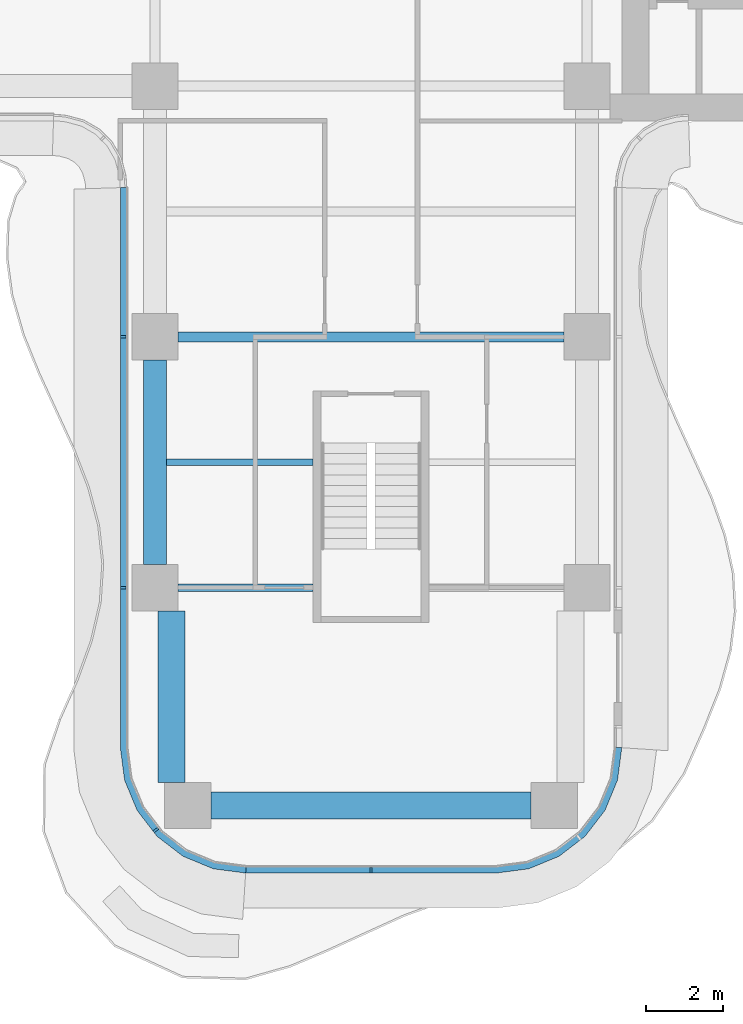
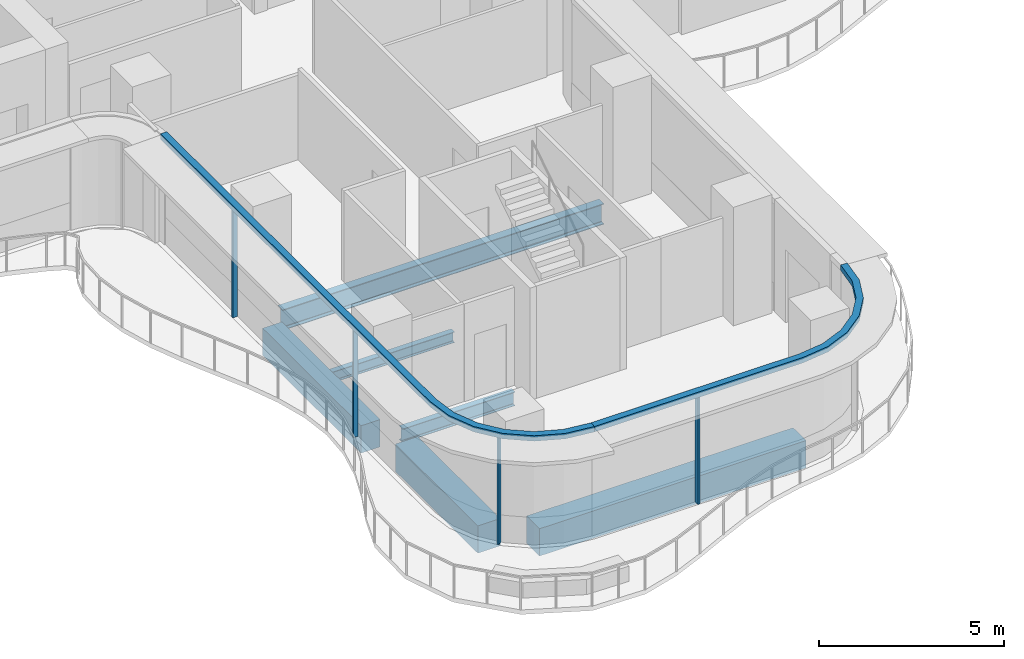
# One storey, part 2 of 19: 6 beams, 6 members, 2 elements without a shape of their own.
"""IFC4 building model written with IfcOpenShell, lengths in metres."""

from ifc_helpers import new_model, si_unit, direction, frame, origin, origin_2d, place, context, subcontext, project, spatial, polyline, rectangle, i_section, outline, extrude, source, transform, mapped, material, layer, layer_set, material_profile, profile_set, type_object, element, aggregate, save


model = new_model("IFC4")

# Units and contexts
model_context = context("Model", 3, precision=1e-05, world=origin(), true_north=direction((0.0, 1.0)))
body_context = subcontext(model_context, "Body", "Model", "MODEL_VIEW")
ifc_project = project(units=[si_unit("LENGTHUNIT", "METRE"), si_unit("AREAUNIT", "SQUARE_METRE"), si_unit("VOLUMEUNIT", "CUBIC_METRE"), si_unit("PLANEANGLEUNIT", "RADIAN"), si_unit("MASSUNIT", "GRAM", prefix="KILO")], contexts=[model_context])

# Site, building, storey
site_placement = place(None, origin())
site = spatial("IfcSite", under=ifc_project, at=site_placement, CompositionType="ELEMENT")
building_placement = place(site_placement, origin())
building = spatial("IfcBuilding", under=site, at=building_placement, Name="Trellis Farm Tower", CompositionType="ELEMENT")
storey_placement = place(building_placement, frame((0.0, 0.0, 197.10009765625)))
storey = spatial("IfcBuildingStorey", under=building, at=storey_placement, Name="L43", CompositionType="ELEMENT", Elevation=197.10009765625)

# Beams
ifc_material_1 = material(Name="Steel S355", Category="steel")
ifc_material_profile_1 = material_profile(ifc_material_1, i_section(OverallWidth=0.1904296875, OverallDepth=0.45703125, WebThickness=0.009033203125, FlangeThickness=0.014404296875, FilletRadius=0.01025390625, at=origin_2d()), Name="UB 457x191x74")
ifc_profile_set_1 = profile_set([ifc_material_profile_1], Name="Steel S355")
beam_type_1 = type_object("IfcBeamType", Name="UB 457x191x74", PredefinedType="BEAM", material=ifc_profile_set_1)
shared_shape_1 = source(origin(), body_context, "Body", "SweptSolid", [
    extrude(i_section(OverallWidth=0.1904296875, OverallDepth=0.45703125, WebThickness=0.009033203125, FlangeThickness=0.014404296875, FilletRadius=0.01025390625, at=origin_2d()), origin(), (0.0, 0.0, 1.0), 3.5),
])
beam_1_placement = place(storey_placement, frame((-5.0, -18.60009765625, -0.4287109375), z_axis=(1.0, 0.0, 0.0), x_axis=(0.0, 1.0, 0.0)))
element("IfcBeam", 1, at=beam_1_placement, inside=storey, type_object=beam_type_1, Name="Girder", PredefinedType="BEAM", context=body_context, shape_type="MappedRepresentation", body=[
    mapped(shared_shape_1, transform((0.0, 0.0, 0.0))),
])
ifc_material_2 = material(Name="Concrete C60/75", Category="concrete")
ifc_material_profile_2 = material_profile(ifc_material_2, rectangle(XDim=0.60009765625, YDim=0.89990234375, at=origin_2d()), Name="RC spandrel beam 600x900 C60/75")
ifc_profile_set_2 = profile_set([ifc_material_profile_2], Name="Concrete C60/75")
beam_type_2 = type_object("IfcBeamType", Name="RC spandrel beam 600x900 C60/75", PredefinedType="SPANDREL", material=ifc_profile_set_2)
shared_shape_2 = source(origin(), body_context, "Body", "SweptSolid", [
    extrude(rectangle(XDim=0.60009765625, YDim=0.89990234375, at=origin_2d()), origin(), (0.0, 0.0, 1.0), 5.300048828125),
])
beam_2_placement = place(storey_placement, frame((-5.60009765625, -18.0, -0.650146484375), z_axis=(0.0, 1.0, 0.0), x_axis=(-1.0, 0.0, 0.0)))
element("IfcBeam", 2, at=beam_2_placement, inside=storey, type_object=beam_type_2, Name="Girder", PredefinedType="SPANDREL", context=body_context, shape_type="MappedRepresentation", body=[
    mapped(shared_shape_2, transform((0.0, 0.0, 0.0))),
])
ifc_material_profile_3 = material_profile(ifc_material_1, i_section(OverallWidth=0.253662109375, OverallDepth=0.68359375, WebThickness=0.012451171875, FlangeThickness=0.021728515625, FilletRadius=0.01513671875, at=origin_2d()), Name="UB 686x254x140")
ifc_profile_set_3 = profile_set([ifc_material_profile_3], Name="Steel S355")
beam_type_3 = type_object("IfcBeamType", Name="UB 686x254x140", PredefinedType="BEAM", material=ifc_profile_set_3)
shared_shape_3 = source(origin(), body_context, "Body", "SweptSolid", [
    extrude(i_section(OverallWidth=0.253662109375, OverallDepth=0.68359375, WebThickness=0.012451171875, FlangeThickness=0.021728515625, FilletRadius=0.01513671875, at=origin_2d()), origin(), (0.0, 0.0, 1.0), 10.0),
])
beam_3_placement = place(storey_placement, frame((-5.0, -12.10009765625, -0.541748046875), z_axis=(1.0, 0.0, 0.0), x_axis=(0.0, 1.0, 0.0)))
element("IfcBeam", 3, at=beam_3_placement, inside=storey, type_object=beam_type_3, Name="Girder", PredefinedType="BEAM", context=body_context, shape_type="MappedRepresentation", body=[
    mapped(shared_shape_3, transform((0.0, 0.0, 0.0))),
])
ifc_material_profile_4 = material_profile(ifc_material_2, rectangle(XDim=0.699951171875, YDim=0.89990234375, at=origin_2d()), Name="RC spandrel beam 700x900 C60/75")
ifc_profile_set_4 = profile_set([ifc_material_profile_4], Name="Concrete C60/75")
beam_type_4 = type_object("IfcBeamType", Name="RC spandrel beam 700x900 C60/75", PredefinedType="SPANDREL", material=ifc_profile_set_4)
shared_shape_4 = source(origin(), body_context, "Body", "SweptSolid", [
    extrude(rectangle(XDim=0.699951171875, YDim=0.89990234375, at=origin_2d()), origin(), (0.0, 0.0, 1.0), 8.2998046875),
])
beam_4_placement = place(storey_placement, frame((-4.14990234375, -24.25, -0.650146484375), z_axis=(1.0, 0.0, 0.0), x_axis=(0.0, 1.0, 0.0)))
element("IfcBeam", 4, at=beam_4_placement, inside=storey, type_object=beam_type_4, Name="Girder", PredefinedType="SPANDREL", context=body_context, shape_type="MappedRepresentation", body=[
    mapped(shared_shape_4, transform((0.0, 0.0, 0.0))),
])
shared_shape_5 = source(origin(), body_context, "Body", "SweptSolid", [
    extrude(rectangle(XDim=0.699951171875, YDim=0.89990234375, at=origin_2d()), origin(), (0.0, 0.0, 1.0), 4.449951171875),
])
beam_5_placement = place(storey_placement, frame((-5.175048828125, -23.64990234375, -0.650146484375), z_axis=(0.0, 1.0, 0.0), x_axis=(-1.0, 0.0, 0.0)))
element("IfcBeam", 5, at=beam_5_placement, inside=storey, type_object=beam_type_4, Name="Girder", PredefinedType="SPANDREL", context=body_context, shape_type="MappedRepresentation", body=[
    mapped(shared_shape_5, transform((0.0, 0.0, 0.0))),
])
ifc_material_profile_5 = material_profile(ifc_material_1, i_section(OverallWidth=0.17138671875, OverallDepth=0.35498046875, WebThickness=0.00732421875, FlangeThickness=0.011474609375, FilletRadius=0.01025390625, at=origin_2d()), Name="UB 356x171x51")
ifc_profile_set_5 = profile_set([ifc_material_profile_5], Name="Steel S355")
beam_type_5 = type_object("IfcBeamType", Name="UB 356x171x51 joist", PredefinedType="JOIST", material=ifc_profile_set_5)
shared_shape_6 = source(origin(), body_context, "Body", "SweptSolid", [
    extrude(i_section(OverallWidth=0.17138671875, OverallDepth=0.35498046875, WebThickness=0.00732421875, FlangeThickness=0.011474609375, FilletRadius=0.01025390625, at=origin_2d()), origin(), (0.0, 0.0, 1.0), 3.800048828125),
])
beam_6_placement = place(storey_placement, frame((-5.300048828125, -15.35009765625, -0.377685546875), z_axis=(1.0, 0.0, 0.0), x_axis=(0.0, 1.0, 0.0)))
element("IfcBeam", 6, at=beam_6_placement, inside=storey, type_object=beam_type_5, Name="Floor beam", PredefinedType="JOIST", context=body_context, shape_type="MappedRepresentation", body=[
    mapped(shared_shape_6, transform((0.0, 0.0, 0.0))),
])

# Curtain wall, member
ifc_material_3 = material(Name="Aluminium and glass curtain wall", Category="aluminium")
ifc_layer_1 = layer(ifc_material_3, 0.18994140625)
ifc_layer_set_1 = layer_set([ifc_layer_1], Name="RIBBON CURTAIN WALL CW1")
curtain_wall_type = type_object("IfcCurtainWallType", Name="RIBBON CURTAIN WALL CW1", PredefinedType="NOTDEFINED", material=ifc_layer_set_1)
placement_1 = place(storey_placement, origin())
curtain_wall_1 = element("IfcCurtainWall", 7, at=placement_1, inside=storey, type_object=curtain_wall_type, Name="CW1 002", PredefinedType="NOTDEFINED")
ifc_material_4 = material(Name="Aluminium extrusion 6063-T6", Category="aluminium")
ifc_layer_2 = layer(ifc_material_4, 0.199951171875)
ifc_layer_set_2 = layer_set([ifc_layer_2], Name="Aluminium extrusion 6063-T6")
member_type_1 = type_object("IfcMemberType", Name="CW1 TRANSOM 200x180", PredefinedType="USERDEFINED", material=ifc_layer_set_2)
shared_shape_7 = source(origin(), body_context, "Body", "SweptSolid", [
    extrude(outline(polyline([(-6.5, -8.2314453125), (-6.5, -22.75), (-6.38916015625, -23.591064453125), (-6.064697265625, -24.375), (-5.548095703125, -25.048095703125), (-4.875, -25.564697265625), (-4.091064453125, -25.88916015625), (-3.25, -26.0), (-3.23681640625, -25.800048828125), (-4.0390625, -25.6943359375), (-4.774169921875, -25.389892578125), (-5.405517578125, -24.905517578125), (-5.889892578125, -24.274169921875), (-6.1943359375, -23.5390625), (-6.300048828125, -22.73681640625), (-6.300048828125, -8.224853515625), (-6.5, -8.2314453125)])), origin(), (0.0, 0.0, 1.0), 0.179931640625),
])
placement_2 = place(storey_placement, frame((0.0, 0.0, 3.52001953125)))
member_1 = element("IfcMember", 8, at=placement_2, type_object=member_type_1, Name="TR1 002", ObjectType="TRANSOM", PredefinedType="USERDEFINED", context=body_context, shape_type="MappedRepresentation", body=[
    mapped(shared_shape_7, transform((0.0, 0.0, 0.0))),
])

curtain_wall_2 = element("IfcCurtainWall", 9, at=placement_1, inside=storey, type_object=curtain_wall_type, Name="CW1 003", PredefinedType="NOTDEFINED")
shared_shape_8 = source(origin(), body_context, "Body", "SweptSolid", [
    extrude(outline(polyline([(-3.25, -26.0), (3.25, -26.0), (4.091064453125, -25.88916015625), (4.875, -25.564697265625), (5.548095703125, -25.048095703125), (6.064697265625, -24.375), (6.38916015625, -23.591064453125), (6.5, -22.75), (6.300048828125, -22.73681640625), (6.1943359375, -23.5390625), (5.889892578125, -24.274169921875), (5.405517578125, -24.905517578125), (4.774169921875, -25.389892578125), (4.0390625, -25.6943359375), (3.23681640625, -25.800048828125), (-3.23681640625, -25.800048828125), (-3.25, -26.0)])), origin(), (0.0, 0.0, 1.0), 0.179931640625),
])
member_2 = element("IfcMember", 10, at=placement_2, type_object=member_type_1, Name="TR1 003", ObjectType="TRANSOM", PredefinedType="USERDEFINED", context=body_context, shape_type="MappedRepresentation", body=[
    mapped(shared_shape_8, transform((0.0, 0.0, 0.0))),
])

# Member
ifc_material_profile_6 = material_profile(ifc_material_4, rectangle(XDim=0.06005859375, YDim=0.14990234375, at=origin_2d()), Name="MULLION 60x150")
ifc_profile_set_6 = profile_set([ifc_material_profile_6], Name="Aluminium extrusion 6063-T6")
member_type_2 = type_object("IfcMemberType", Name="CW1 MULLION 60x150", PredefinedType="MULLION", material=ifc_profile_set_6)
shared_shape_9 = source(origin(), body_context, "Body", "SweptSolid", [
    extrude(rectangle(XDim=0.06005859375, YDim=0.14990234375, at=origin_2d()), origin(), (0.0, 0.0, 1.0), 3.52001953125),
])
member_3_placement = place(storey_placement, frame((-6.425048828125, -12.10009765625, 0.0), z_axis=(0.0, 0.0, 1.0), x_axis=(0.0, -1.0, 0.0)))
member_3 = element("IfcMember", 11, at=member_3_placement, type_object=member_type_2, Name="MU1 002-01", PredefinedType="MULLION", context=body_context, shape_type="MappedRepresentation", body=[
    mapped(shared_shape_9, transform((0.0, 0.0, 0.0))),
])

member_4_placement = place(storey_placement, frame((-6.425048828125, -18.60009765625, 0.0), z_axis=(0.0, 0.0, 1.0), x_axis=(0.0, -1.0, 0.0)))
member_4 = element("IfcMember", 12, at=member_4_placement, type_object=member_type_2, Name="MU1 002-02", PredefinedType="MULLION", context=body_context, shape_type="MappedRepresentation", body=[
    mapped(shared_shape_9, transform((0.0, 0.0, 0.0))),
])

member_5_placement = place(storey_placement, frame((-5.578369140625, -24.885498046875, 0.0), z_axis=(0.0, 0.0, 1.0), x_axis=(0.608761429009, -0.793353340291, 0.0)))
member_5 = element("IfcMember", 13, at=member_5_placement, type_object=member_type_2, Name="MU1 002-03", PredefinedType="MULLION", context=body_context, shape_type="MappedRepresentation", body=[
    mapped(shared_shape_9, transform((0.0, 0.0, 0.0))),
])

aggregate(curtain_wall_1, [member_3, member_4, member_5, member_1])

member_6_placement = place(storey_placement, frame((0.0, -25.925048828125, 0.0), z_axis=(0.0, 0.0, 1.0), x_axis=(1.0, 0.0, 0.0)))
member_6 = element("IfcMember", 14, at=member_6_placement, type_object=member_type_2, Name="MU1 003-01", PredefinedType="MULLION", context=body_context, shape_type="MappedRepresentation", body=[
    mapped(shared_shape_9, transform((0.0, 0.0, 0.0))),
])

aggregate(curtain_wall_2, [member_6, member_2])

save(model, "model.ifc")
